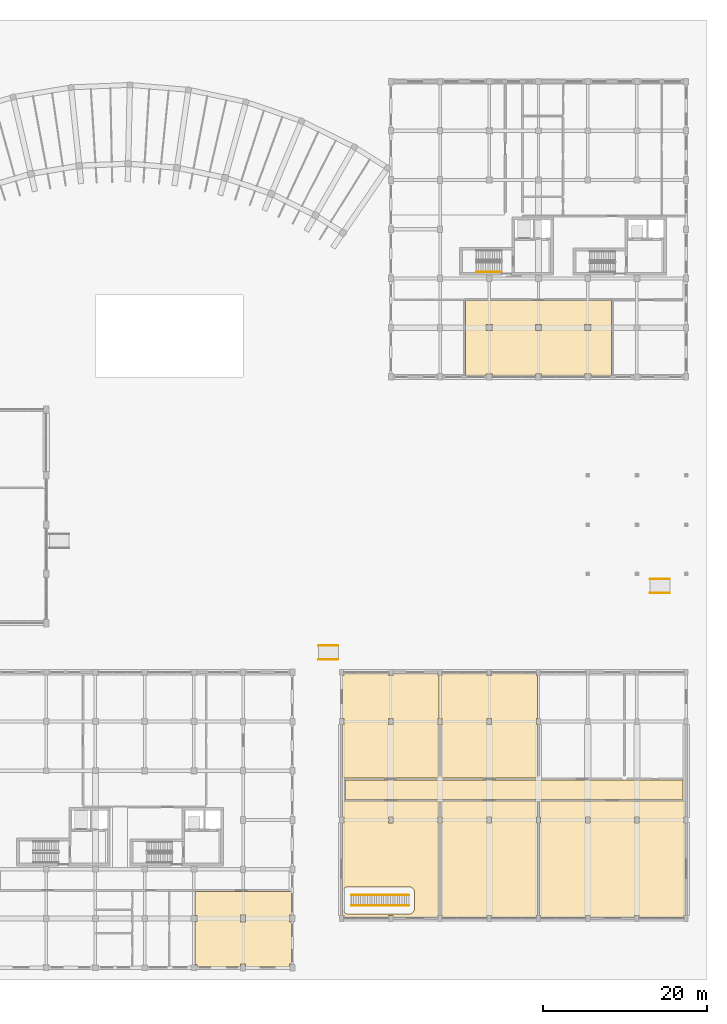
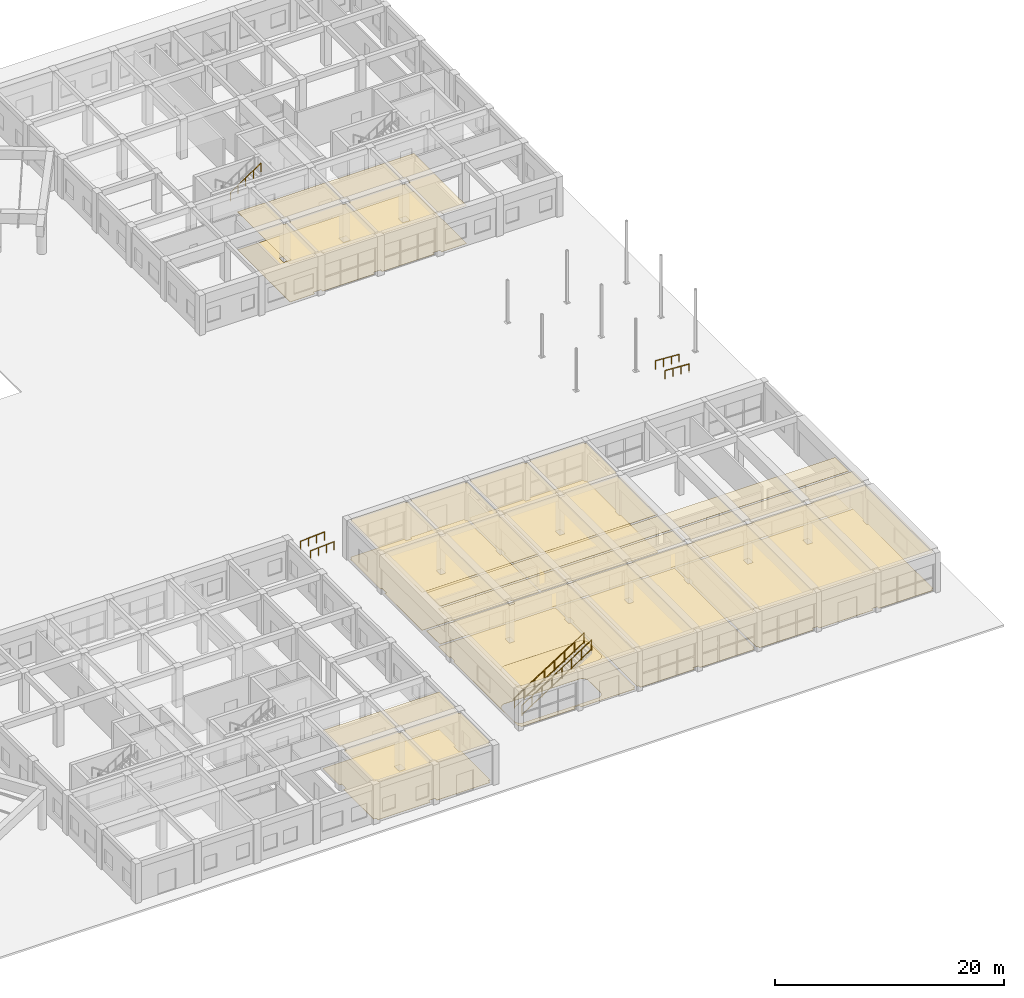
# One storey, part 74 of 76: 16 coverings, 7 railings.
"""IFC4 building model written with IfcOpenShell, lengths in metres."""

from ifc_helpers import new_model, si_unit, direction, frame, origin, origin_2d, place, context, subcontext, project, spatial, polyline, circle, outline, extrude, material, layer, layer_set, type_object, element, save


model = new_model("IFC4")

# Units and contexts
model_context = context("Model", 3, precision=1e-05, world=origin(), true_north=direction((0.0, 1.0)))
body_context = subcontext(model_context, "Body", "Model", "MODEL_VIEW")
ifc_project = project(units=[si_unit("LENGTHUNIT", "METRE"), si_unit("AREAUNIT", "SQUARE_METRE"), si_unit("VOLUMEUNIT", "CUBIC_METRE"), si_unit("PLANEANGLEUNIT", "RADIAN"), si_unit("MASSUNIT", "GRAM", prefix="KILO"), si_unit("POWERUNIT", "WATT"), si_unit("THERMODYNAMICTEMPERATUREUNIT", "KELVIN")], contexts=[model_context])

# Site, building, storey
site_placement = place(None, origin())
site = spatial("IfcSite", under=ifc_project, at=site_placement, CompositionType="ELEMENT")
building_placement = place(site_placement, origin())
building = spatial("IfcBuilding", under=site, at=building_placement, Name="Ruvembo Vaulted Housing Court", CompositionType="ELEMENT")
storey_placement = place(building_placement, origin())
storey = spatial("IfcBuildingStorey", under=building, at=storey_placement, Name="L00", CompositionType="ELEMENT", Elevation=0.0)

# Coverings
ifc_material_1 = material(Name="Perforated Mineral-Fibre Acoustic Tile", Category="gypsum")
ifc_layer_1 = layer(ifc_material_1, 0.02001953125, Name="Perforated Mineral-Fibre Acoustic Tile")
ifc_layer_set_1 = layer_set([ifc_layer_1], Name="Perforated Mineral-Fibre Acoustic Tile")
covering_type_1 = type_object("IfcCoveringType", Name="COV-CEIL-ACOUST", PredefinedType="CEILING", material=ifc_layer_set_1)
covering_1_placement = place(storey_placement, frame((0.0, 0.0, 4.034912109375)))
element("IfcCovering", 1, at=covering_1_placement, inside=storey, type_object=covering_type_1, Name="Shops L00 Shared Arcade Corridor Ceiling", PredefinedType="CEILING", context=body_context, shape_type="SweptSolid", body=[
    extrude(outline(polyline([(144.409912109375, 22.889892578125), (144.409912109375, 20.510009765625), (185.590087890625, 20.510009765625), (185.590087890625, 22.889892578125), (144.409912109375, 22.889892578125)])), origin(), (0.0, 0.0, 1.0), 0.02001953125),
])
covering_2_placement = place(storey_placement, frame((0.0, 0.0, 4.034912109375)))
element("IfcCovering", 2, at=covering_2_placement, inside=storey, type_object=covering_type_1, Name="Cooperative Fresh Produce Market Ceiling", PredefinedType="CEILING", context=body_context, shape_type="SweptSolid", body=[
    extrude(outline(polyline([(144.27001953125, 18.3701171875), (144.27001953125, 17.6298828125), (144.110107421875, 17.6298828125), (144.110107421875, 6.3701171875), (144.27001953125, 6.3701171875), (144.27001953125, 6.110107421875), (149.72998046875, 6.110107421875), (149.72998046875, 6.3701171875), (150.27001953125, 6.3701171875), (150.27001953125, 6.110107421875), (155.72998046875, 6.110107421875), (155.72998046875, 6.3701171875), (155.889892578125, 6.3701171875), (155.889892578125, 17.6298828125), (155.72998046875, 17.6298828125), (155.72998046875, 18.3701171875), (155.889892578125, 18.3701171875), (155.889892578125, 20.2900390625), (144.110107421875, 20.2900390625), (144.110107421875, 18.3701171875), (144.27001953125, 18.3701171875)]), holes=[polyline([(150.27001953125, 17.6298828125), (150.27001953125, 18.3701171875), (149.72998046875, 18.3701171875), (149.72998046875, 17.6298828125), (150.27001953125, 17.6298828125)]), polyline([(152.28369140625, 6.552978515625), (152.3466796875, 6.5625), (152.40869140625, 6.577880859375), (152.46875, 6.599609375), (152.5263671875, 6.626708984375), (152.5810546875, 6.659423828125), (152.63232421875, 6.697509765625), (152.6796875, 6.740478515625), (152.722412109375, 6.78759765625), (152.760498046875, 6.8388671875), (152.793212890625, 6.8935546875), (152.820556640625, 6.951416015625), (152.842041015625, 7.01123046875), (152.857421875, 7.0732421875), (152.866943359375, 7.13623046875), (152.8701171875, 7.199951171875), (152.8701171875, 9.199951171875), (152.866943359375, 9.263671875), (152.857421875, 9.326904296875), (152.842041015625, 9.388671875), (152.820556640625, 9.44873046875), (152.793212890625, 9.50634765625), (152.760498046875, 9.56103515625), (152.722412109375, 9.6123046875), (152.6796875, 9.65966796875), (152.63232421875, 9.702392578125), (152.5810546875, 9.740478515625), (152.5263671875, 9.773193359375), (152.46875, 9.800537109375), (152.40869140625, 9.822021484375), (152.3466796875, 9.83740234375), (152.28369140625, 9.846923828125), (152.219970703125, 9.85009765625), (144.800048828125, 9.85009765625), (144.736328125, 9.846923828125), (144.673095703125, 9.83740234375), (144.611328125, 9.822021484375), (144.55126953125, 9.800537109375), (144.49365234375, 9.773193359375), (144.43896484375, 9.740478515625), (144.3876953125, 9.702392578125), (144.34033203125, 9.65966796875), (144.297607421875, 9.6123046875), (144.259521484375, 9.56103515625), (144.226806640625, 9.50634765625), (144.199462890625, 9.44873046875), (144.177978515625, 9.388671875), (144.16259765625, 9.326904296875), (144.153076171875, 9.263671875), (144.14990234375, 9.199951171875), (144.14990234375, 7.199951171875), (144.153076171875, 7.13623046875), (144.16259765625, 7.0732421875), (144.177978515625, 7.01123046875), (144.199462890625, 6.951416015625), (144.226806640625, 6.8935546875), (144.259521484375, 6.8388671875), (144.297607421875, 6.78759765625), (144.34033203125, 6.740478515625), (144.3876953125, 6.697509765625), (144.43896484375, 6.659423828125), (144.49365234375, 6.626708984375), (144.55126953125, 6.599609375), (144.611328125, 6.577880859375), (144.673095703125, 6.5625), (144.736328125, 6.552978515625), (144.800048828125, 6.550048828125), (152.219970703125, 6.550048828125), (152.28369140625, 6.552978515625)])]), origin(), (0.0, 0.0, 1.0), 0.02001953125),
])
covering_3_placement = place(storey_placement, frame((0.0, 0.0, 4.034912109375)))
element("IfcCovering", 3, at=covering_3_placement, inside=storey, type_object=covering_type_1, Name="Neighbourhood Pharmacy & Repair Ceiling", PredefinedType="CEILING", context=body_context, shape_type="SweptSolid", body=[
    extrude(outline(polyline([(156.27001953125, 18.3701171875), (156.27001953125, 17.6298828125), (156.110107421875, 17.6298828125), (156.110107421875, 6.3701171875), (156.27001953125, 6.3701171875), (156.27001953125, 6.110107421875), (161.72998046875, 6.110107421875), (161.72998046875, 6.3701171875), (162.27001953125, 6.3701171875), (162.27001953125, 6.110107421875), (167.72998046875, 6.110107421875), (167.72998046875, 6.3701171875), (167.889892578125, 6.3701171875), (167.889892578125, 17.6298828125), (167.72998046875, 17.6298828125), (167.72998046875, 18.3701171875), (167.889892578125, 18.3701171875), (167.889892578125, 20.2900390625), (156.110107421875, 20.2900390625), (156.110107421875, 18.3701171875), (156.27001953125, 18.3701171875)]), holes=[polyline([(161.72998046875, 17.6298828125), (162.27001953125, 17.6298828125), (162.27001953125, 18.3701171875), (161.72998046875, 18.3701171875), (161.72998046875, 17.6298828125)])]), origin(), (0.0, 0.0, 1.0), 0.02001953125),
])
covering_4_placement = place(storey_placement, frame((0.0, 0.0, 4.044921875)))
element("IfcCovering", 4, at=covering_4_placement, inside=storey, type_object=covering_type_1, Name="Corner Cafe and Bakery Dining Ceiling", PredefinedType="CEILING", context=body_context, shape_type="SweptSolid", body=[
    extrude(outline(polyline([(168.27001953125, 18.3701171875), (168.27001953125, 17.6298828125), (168.110107421875, 17.6298828125), (168.110107421875, 6.3701171875), (168.27001953125, 6.3701171875), (168.27001953125, 6.110107421875), (173.72998046875, 6.110107421875), (173.72998046875, 6.3701171875), (174.27001953125, 6.3701171875), (174.27001953125, 6.110107421875), (179.72998046875, 6.110107421875), (179.72998046875, 6.3701171875), (180.27001953125, 6.3701171875), (180.27001953125, 6.110107421875), (185.72998046875, 6.110107421875), (185.72998046875, 6.3701171875), (185.889892578125, 6.3701171875), (185.889892578125, 17.6298828125), (185.72998046875, 17.6298828125), (185.72998046875, 18.3701171875), (185.889892578125, 18.3701171875), (185.889892578125, 20.2900390625), (168.110107421875, 20.2900390625), (168.110107421875, 18.3701171875), (168.27001953125, 18.3701171875)]), holes=[polyline([(179.72998046875, 17.6298828125), (180.27001953125, 17.6298828125), (180.27001953125, 18.3701171875), (179.72998046875, 18.3701171875), (179.72998046875, 17.6298828125)]), polyline([(174.27001953125, 17.6298828125), (174.27001953125, 18.3701171875), (173.72998046875, 18.3701171875), (173.72998046875, 17.6298828125), (174.27001953125, 17.6298828125)])]), origin(), (0.0, 0.0, 1.0), 0.02001953125),
])
covering_5_placement = place(storey_placement, frame((0.0, 0.0, 4.034912109375)))
element("IfcCovering", 5, at=covering_5_placement, inside=storey, type_object=covering_type_1, Name="Artisan Tailoring & Bookshop Ceiling", PredefinedType="CEILING", context=body_context, shape_type="SweptSolid", body=[
    extrude(outline(polyline([(144.27001953125, 30.3701171875), (144.27001953125, 29.6298828125), (144.110107421875, 29.6298828125), (144.110107421875, 23.110107421875), (155.889892578125, 23.110107421875), (155.889892578125, 29.6298828125), (155.72998046875, 29.6298828125), (155.72998046875, 30.3701171875), (155.889892578125, 30.3701171875), (155.889892578125, 35.6298828125), (155.72998046875, 35.6298828125), (155.72998046875, 35.889892578125), (150.27001953125, 35.889892578125), (150.27001953125, 35.6298828125), (149.72998046875, 35.6298828125), (149.72998046875, 35.889892578125), (144.27001953125, 35.889892578125), (144.27001953125, 35.6298828125), (144.110107421875, 35.6298828125), (144.110107421875, 30.3701171875), (144.27001953125, 30.3701171875)]), holes=[polyline([(149.72998046875, 29.6298828125), (150.27001953125, 29.6298828125), (150.27001953125, 30.3701171875), (149.72998046875, 30.3701171875), (149.72998046875, 29.6298828125)])]), origin(), (0.0, 0.0, 1.0), 0.02001953125),
])
covering_6_placement = place(storey_placement, frame((0.0, 0.0, 4.034912109375)))
element("IfcCovering", 6, at=covering_6_placement, inside=storey, type_object=covering_type_1, Name="Cooperative Dry-Goods & Postal Hub Ceiling", PredefinedType="CEILING", context=body_context, shape_type="SweptSolid", body=[
    extrude(outline(polyline([(156.27001953125, 30.3701171875), (156.27001953125, 29.6298828125), (156.110107421875, 29.6298828125), (156.110107421875, 23.110107421875), (167.889892578125, 23.110107421875), (167.889892578125, 29.6298828125), (167.72998046875, 29.6298828125), (167.72998046875, 30.3701171875), (167.889892578125, 30.3701171875), (167.889892578125, 35.6298828125), (167.72998046875, 35.6298828125), (167.72998046875, 35.889892578125), (162.27001953125, 35.889892578125), (162.27001953125, 35.6298828125), (161.72998046875, 35.6298828125), (161.72998046875, 35.889892578125), (156.27001953125, 35.889892578125), (156.27001953125, 35.6298828125), (156.110107421875, 35.6298828125), (156.110107421875, 30.3701171875), (156.27001953125, 30.3701171875)]), holes=[polyline([(161.72998046875, 29.6298828125), (162.27001953125, 29.6298828125), (162.27001953125, 30.3701171875), (161.72998046875, 30.3701171875), (161.72998046875, 29.6298828125)])]), origin(), (0.0, 0.0, 1.0), 0.02001953125),
])
covering_7_placement = place(storey_placement, frame((0.0, 0.0, 4.034912109375)))
element("IfcCovering", 7, at=covering_7_placement, inside=storey, type_object=covering_type_1, Name="Block C East Exit Vestibule Ceiling", PredefinedType="CEILING", context=body_context, shape_type="SweptSolid", body=[
    extrude(outline(polyline([(131.679931640625, 0.419921875), (132.320068359375, 0.419921875), (132.320068359375, 0.110107421875), (137.679931640625, 0.110107421875), (137.679931640625, 0.419921875), (137.889892578125, 0.419921875), (137.889892578125, 5.580078125), (137.679931640625, 5.580078125), (137.679931640625, 6.419921875), (137.889892578125, 6.419921875), (137.889892578125, 9.2900390625), (126.110107421875, 9.2900390625), (126.110107421875, 6.3701171875), (126.3701171875, 6.3701171875), (126.3701171875, 5.6298828125), (126.110107421875, 5.6298828125), (126.110107421875, 0.3701171875), (126.3701171875, 0.3701171875), (126.3701171875, 0.110107421875), (131.679931640625, 0.110107421875), (131.679931640625, 0.419921875)]), holes=[polyline([(132.320068359375, 5.580078125), (132.320068359375, 6.419921875), (131.679931640625, 6.419921875), (131.679931640625, 5.580078125), (132.320068359375, 5.580078125)])]), origin(), (0.0, 0.0, 1.0), 0.02001953125),
])
covering_8_placement = place(storey_placement, frame((0.0, 0.0, 4.034912109375)))
element("IfcCovering", 8, at=covering_8_placement, inside=storey, type_object=covering_type_1, Name="Block D Courtyard Entrance Lobby Ceiling", PredefinedType="CEILING", context=body_context, shape_type="SweptSolid", body=[
    extrude(outline(polyline([(173.6298828125, 72.3701171875), (174.3701171875, 72.3701171875), (174.3701171875, 72.110107421875), (176.889892578125, 72.110107421875), (176.889892578125, 81.2900390625), (159.110107421875, 81.2900390625), (159.110107421875, 72.110107421875), (161.6298828125, 72.110107421875), (161.6298828125, 72.3701171875), (162.3701171875, 72.3701171875), (162.3701171875, 72.110107421875), (167.6298828125, 72.110107421875), (167.6298828125, 72.3701171875), (168.3701171875, 72.3701171875), (168.3701171875, 72.110107421875), (173.6298828125, 72.110107421875), (173.6298828125, 72.3701171875)]), holes=[polyline([(162.3701171875, 77.6298828125), (162.3701171875, 78.3701171875), (161.6298828125, 78.3701171875), (161.6298828125, 77.6298828125), (162.3701171875, 77.6298828125)]), polyline([(174.3701171875, 77.6298828125), (174.3701171875, 78.3701171875), (173.6298828125, 78.3701171875), (173.6298828125, 77.6298828125), (174.3701171875, 77.6298828125)]), polyline([(168.3701171875, 77.6298828125), (168.3701171875, 78.3701171875), (167.6298828125, 78.3701171875), (167.6298828125, 77.6298828125), (168.3701171875, 77.6298828125)])]), origin(), (0.0, 0.0, 1.0), 0.02001953125),
])
ifc_material_2 = material(Name="Polished Cement-Aggregate Terrazzo", Category="stone")
ifc_layer_2 = layer(ifc_material_2, 0.02197265625, Name="Polished Cement-Aggregate Terrazzo")
ifc_layer_set_2 = layer_set([ifc_layer_2], Name="Polished Cement-Aggregate Terrazzo")
covering_type_2 = type_object("IfcCoveringType", Name="COV-FLR-CERAMIC", PredefinedType="FLOORING", material=ifc_layer_set_2)
covering_9_placement = place(storey_placement, origin())
element("IfcCovering", 9, at=covering_9_placement, inside=storey, type_object=covering_type_2, Name="Shops L00 Shared Arcade Corridor Flooring", PredefinedType="FLOORING", context=body_context, shape_type="SweptSolid", body=[
    extrude(outline(polyline([(144.409912109375, 22.889892578125), (144.409912109375, 20.510009765625), (185.590087890625, 20.510009765625), (185.590087890625, 22.889892578125), (144.409912109375, 22.889892578125)])), origin(), (0.0, 0.0, 1.0), 0.02197265625),
])
covering_10_placement = place(storey_placement, origin())
element("IfcCovering", 10, at=covering_10_placement, inside=storey, type_object=covering_type_2, Name="Cooperative Fresh Produce Market Flooring", PredefinedType="FLOORING", context=body_context, shape_type="SweptSolid", body=[
    extrude(outline(polyline([(144.27001953125, 18.3701171875), (144.27001953125, 17.6298828125), (144.110107421875, 17.6298828125), (144.110107421875, 6.3701171875), (144.27001953125, 6.3701171875), (144.27001953125, 6.110107421875), (149.72998046875, 6.110107421875), (149.72998046875, 6.3701171875), (150.27001953125, 6.3701171875), (150.27001953125, 6.110107421875), (155.72998046875, 6.110107421875), (155.72998046875, 6.3701171875), (155.889892578125, 6.3701171875), (155.889892578125, 17.6298828125), (155.72998046875, 17.6298828125), (155.72998046875, 18.3701171875), (155.889892578125, 18.3701171875), (155.889892578125, 20.2900390625), (144.110107421875, 20.2900390625), (144.110107421875, 18.3701171875), (144.27001953125, 18.3701171875)]), holes=[polyline([(150.27001953125, 17.6298828125), (150.27001953125, 18.3701171875), (149.72998046875, 18.3701171875), (149.72998046875, 17.6298828125), (150.27001953125, 17.6298828125)]), polyline([(152.28369140625, 6.552978515625), (152.3466796875, 6.5625), (152.40869140625, 6.577880859375), (152.46875, 6.599609375), (152.5263671875, 6.626708984375), (152.5810546875, 6.659423828125), (152.63232421875, 6.697509765625), (152.6796875, 6.740478515625), (152.722412109375, 6.78759765625), (152.760498046875, 6.8388671875), (152.793212890625, 6.8935546875), (152.820556640625, 6.951416015625), (152.842041015625, 7.01123046875), (152.857421875, 7.0732421875), (152.866943359375, 7.13623046875), (152.8701171875, 7.199951171875), (152.8701171875, 9.199951171875), (152.866943359375, 9.263671875), (152.857421875, 9.326904296875), (152.842041015625, 9.388671875), (152.820556640625, 9.44873046875), (152.793212890625, 9.50634765625), (152.760498046875, 9.56103515625), (152.722412109375, 9.6123046875), (152.6796875, 9.65966796875), (152.63232421875, 9.702392578125), (152.5810546875, 9.740478515625), (152.5263671875, 9.773193359375), (152.46875, 9.800537109375), (152.40869140625, 9.822021484375), (152.3466796875, 9.83740234375), (152.28369140625, 9.846923828125), (152.219970703125, 9.85009765625), (144.800048828125, 9.85009765625), (144.736328125, 9.846923828125), (144.673095703125, 9.83740234375), (144.611328125, 9.822021484375), (144.55126953125, 9.800537109375), (144.49365234375, 9.773193359375), (144.43896484375, 9.740478515625), (144.3876953125, 9.702392578125), (144.34033203125, 9.65966796875), (144.297607421875, 9.6123046875), (144.259521484375, 9.56103515625), (144.226806640625, 9.50634765625), (144.199462890625, 9.44873046875), (144.177978515625, 9.388671875), (144.16259765625, 9.326904296875), (144.153076171875, 9.263671875), (144.14990234375, 9.199951171875), (144.14990234375, 7.199951171875), (144.153076171875, 7.13623046875), (144.16259765625, 7.0732421875), (144.177978515625, 7.01123046875), (144.199462890625, 6.951416015625), (144.226806640625, 6.8935546875), (144.259521484375, 6.8388671875), (144.297607421875, 6.78759765625), (144.34033203125, 6.740478515625), (144.3876953125, 6.697509765625), (144.43896484375, 6.659423828125), (144.49365234375, 6.626708984375), (144.55126953125, 6.599609375), (144.611328125, 6.577880859375), (144.673095703125, 6.5625), (144.736328125, 6.552978515625), (144.800048828125, 6.550048828125), (152.219970703125, 6.550048828125), (152.28369140625, 6.552978515625)])]), origin(), (0.0, 0.0, 1.0), 0.02197265625),
])
covering_11_placement = place(storey_placement, origin())
element("IfcCovering", 11, at=covering_11_placement, inside=storey, type_object=covering_type_2, Name="Neighbourhood Pharmacy & Repair Flooring", PredefinedType="FLOORING", context=body_context, shape_type="SweptSolid", body=[
    extrude(outline(polyline([(156.27001953125, 18.3701171875), (156.27001953125, 17.6298828125), (156.110107421875, 17.6298828125), (156.110107421875, 6.3701171875), (156.27001953125, 6.3701171875), (156.27001953125, 6.110107421875), (161.72998046875, 6.110107421875), (161.72998046875, 6.3701171875), (162.27001953125, 6.3701171875), (162.27001953125, 6.110107421875), (167.72998046875, 6.110107421875), (167.72998046875, 6.3701171875), (167.889892578125, 6.3701171875), (167.889892578125, 17.6298828125), (167.72998046875, 17.6298828125), (167.72998046875, 18.3701171875), (167.889892578125, 18.3701171875), (167.889892578125, 20.2900390625), (156.110107421875, 20.2900390625), (156.110107421875, 18.3701171875), (156.27001953125, 18.3701171875)]), holes=[polyline([(161.72998046875, 17.6298828125), (162.27001953125, 17.6298828125), (162.27001953125, 18.3701171875), (161.72998046875, 18.3701171875), (161.72998046875, 17.6298828125)])]), origin(), (0.0, 0.0, 1.0), 0.02197265625),
])
covering_12_placement = place(storey_placement, origin())
element("IfcCovering", 12, at=covering_12_placement, inside=storey, type_object=covering_type_2, Name="Corner Cafe and Bakery Dining Flooring", PredefinedType="FLOORING", context=body_context, shape_type="SweptSolid", body=[
    extrude(outline(polyline([(168.27001953125, 18.3701171875), (168.27001953125, 17.6298828125), (168.110107421875, 17.6298828125), (168.110107421875, 6.3701171875), (168.27001953125, 6.3701171875), (168.27001953125, 6.110107421875), (173.72998046875, 6.110107421875), (173.72998046875, 6.3701171875), (174.27001953125, 6.3701171875), (174.27001953125, 6.110107421875), (179.72998046875, 6.110107421875), (179.72998046875, 6.3701171875), (180.27001953125, 6.3701171875), (180.27001953125, 6.110107421875), (185.72998046875, 6.110107421875), (185.72998046875, 6.3701171875), (185.889892578125, 6.3701171875), (185.889892578125, 17.6298828125), (185.72998046875, 17.6298828125), (185.72998046875, 18.3701171875), (185.889892578125, 18.3701171875), (185.889892578125, 20.2900390625), (168.110107421875, 20.2900390625), (168.110107421875, 18.3701171875), (168.27001953125, 18.3701171875)]), holes=[polyline([(179.72998046875, 17.6298828125), (180.27001953125, 17.6298828125), (180.27001953125, 18.3701171875), (179.72998046875, 18.3701171875), (179.72998046875, 17.6298828125)]), polyline([(174.27001953125, 17.6298828125), (174.27001953125, 18.3701171875), (173.72998046875, 18.3701171875), (173.72998046875, 17.6298828125), (174.27001953125, 17.6298828125)])]), origin(), (0.0, 0.0, 1.0), 0.02197265625),
])
covering_13_placement = place(storey_placement, origin())
element("IfcCovering", 13, at=covering_13_placement, inside=storey, type_object=covering_type_2, Name="Artisan Tailoring & Bookshop Flooring", PredefinedType="FLOORING", context=body_context, shape_type="SweptSolid", body=[
    extrude(outline(polyline([(144.27001953125, 30.3701171875), (144.27001953125, 29.6298828125), (144.110107421875, 29.6298828125), (144.110107421875, 23.110107421875), (155.889892578125, 23.110107421875), (155.889892578125, 29.6298828125), (155.72998046875, 29.6298828125), (155.72998046875, 30.3701171875), (155.889892578125, 30.3701171875), (155.889892578125, 35.6298828125), (155.72998046875, 35.6298828125), (155.72998046875, 35.889892578125), (150.27001953125, 35.889892578125), (150.27001953125, 35.6298828125), (149.72998046875, 35.6298828125), (149.72998046875, 35.889892578125), (144.27001953125, 35.889892578125), (144.27001953125, 35.6298828125), (144.110107421875, 35.6298828125), (144.110107421875, 30.3701171875), (144.27001953125, 30.3701171875)]), holes=[polyline([(149.72998046875, 29.6298828125), (150.27001953125, 29.6298828125), (150.27001953125, 30.3701171875), (149.72998046875, 30.3701171875), (149.72998046875, 29.6298828125)])]), origin(), (0.0, 0.0, 1.0), 0.02197265625),
])
covering_14_placement = place(storey_placement, origin())
element("IfcCovering", 14, at=covering_14_placement, inside=storey, type_object=covering_type_2, Name="Cooperative Dry-Goods & Postal Hub Flooring", PredefinedType="FLOORING", context=body_context, shape_type="SweptSolid", body=[
    extrude(outline(polyline([(156.27001953125, 30.3701171875), (156.27001953125, 29.6298828125), (156.110107421875, 29.6298828125), (156.110107421875, 23.110107421875), (167.889892578125, 23.110107421875), (167.889892578125, 29.6298828125), (167.72998046875, 29.6298828125), (167.72998046875, 30.3701171875), (167.889892578125, 30.3701171875), (167.889892578125, 35.6298828125), (167.72998046875, 35.6298828125), (167.72998046875, 35.889892578125), (162.27001953125, 35.889892578125), (162.27001953125, 35.6298828125), (161.72998046875, 35.6298828125), (161.72998046875, 35.889892578125), (156.27001953125, 35.889892578125), (156.27001953125, 35.6298828125), (156.110107421875, 35.6298828125), (156.110107421875, 30.3701171875), (156.27001953125, 30.3701171875)]), holes=[polyline([(161.72998046875, 29.6298828125), (162.27001953125, 29.6298828125), (162.27001953125, 30.3701171875), (161.72998046875, 30.3701171875), (161.72998046875, 29.6298828125)])]), origin(), (0.0, 0.0, 1.0), 0.02197265625),
])
covering_15_placement = place(storey_placement, origin())
element("IfcCovering", 15, at=covering_15_placement, inside=storey, type_object=covering_type_2, Name="Block C East Exit Vestibule Flooring", PredefinedType="FLOORING", context=body_context, shape_type="SweptSolid", body=[
    extrude(outline(polyline([(131.679931640625, 0.419921875), (132.320068359375, 0.419921875), (132.320068359375, 0.110107421875), (137.679931640625, 0.110107421875), (137.679931640625, 0.419921875), (137.889892578125, 0.419921875), (137.889892578125, 5.580078125), (137.679931640625, 5.580078125), (137.679931640625, 6.419921875), (137.889892578125, 6.419921875), (137.889892578125, 9.2900390625), (126.110107421875, 9.2900390625), (126.110107421875, 6.3701171875), (126.3701171875, 6.3701171875), (126.3701171875, 5.6298828125), (126.110107421875, 5.6298828125), (126.110107421875, 0.3701171875), (126.3701171875, 0.3701171875), (126.3701171875, 0.110107421875), (131.679931640625, 0.110107421875), (131.679931640625, 0.419921875)]), holes=[polyline([(132.320068359375, 5.580078125), (132.320068359375, 6.419921875), (131.679931640625, 6.419921875), (131.679931640625, 5.580078125), (132.320068359375, 5.580078125)])]), origin(), (0.0, 0.0, 1.0), 0.02197265625),
])
covering_16_placement = place(storey_placement, origin())
element("IfcCovering", 16, at=covering_16_placement, inside=storey, type_object=covering_type_2, Name="Block D Courtyard Entrance Lobby Flooring", PredefinedType="FLOORING", context=body_context, shape_type="SweptSolid", body=[
    extrude(outline(polyline([(173.6298828125, 72.3701171875), (174.3701171875, 72.3701171875), (174.3701171875, 72.110107421875), (176.889892578125, 72.110107421875), (176.889892578125, 81.2900390625), (159.110107421875, 81.2900390625), (159.110107421875, 72.110107421875), (161.6298828125, 72.110107421875), (161.6298828125, 72.3701171875), (162.3701171875, 72.3701171875), (162.3701171875, 72.110107421875), (167.6298828125, 72.110107421875), (167.6298828125, 72.3701171875), (168.3701171875, 72.3701171875), (168.3701171875, 72.110107421875), (173.6298828125, 72.110107421875), (173.6298828125, 72.3701171875)]), holes=[polyline([(162.3701171875, 77.6298828125), (162.3701171875, 78.3701171875), (161.6298828125, 78.3701171875), (161.6298828125, 77.6298828125), (162.3701171875, 77.6298828125)]), polyline([(174.3701171875, 77.6298828125), (174.3701171875, 78.3701171875), (173.6298828125, 78.3701171875), (173.6298828125, 77.6298828125), (174.3701171875, 77.6298828125)]), polyline([(168.3701171875, 77.6298828125), (168.3701171875, 78.3701171875), (167.6298828125, 78.3701171875), (167.6298828125, 77.6298828125), (168.3701171875, 77.6298828125)])]), origin(), (0.0, 0.0, 1.0), 0.02197265625),
])

# Railings
ifc_material_3 = material(Name="Brushed Stainless Steel 316", Category="steel")
ifc_layer_3 = layer(ifc_material_3, 0.050048828125, Name="Brushed Stainless Steel 316")
ifc_layer_set_3 = layer_set([ifc_layer_3], Name="Brushed Stainless Steel 316")
railing_type_1 = type_object("IfcRailingType", Name="RL-RAMP-HR920", PredefinedType="HANDRAIL", material=ifc_layer_set_3)
for number, where, name in (
    (17, (184.0, 45.64990234375, -0.14990234375), "Ramp RMP-02 Handrail L"),
    (18, (184.0, 47.35009765625, -0.14990234375), "Ramp RMP-02 Handrail R"),
):
    element("IfcRailing", number, at=place(storey_placement, frame(where)), inside=storey, type_object=railing_type_1, Name=name, PredefinedType="HANDRAIL", context=body_context, shape_type="SweptSolid", body=[
        extrude(circle(Radius=0.02392578125, at=origin_2d()), frame((0.0, 0.0, 0.89599609375), z_axis=(-0.998054948148, 0.0, 0.062340359935), x_axis=(0.0, -1.0, 0.0)), (0.0, 0.0, 1.0), 2.404541015625),
        extrude(circle(Radius=0.02099609375, at=origin_2d()), origin(), (0.0, 0.0, 1.0), 0.871826171875),
        extrude(circle(Radius=0.02099609375, at=origin_2d()), frame((-0.800048828125, 0.0, 0.050048828125)), (0.0, 0.0, 1.0), 0.871826171875),
        extrude(circle(Radius=0.02099609375, at=origin_2d()), frame((-1.599853515625, 0.0, 0.099853515625)), (0.0, 0.0, 1.0), 0.871826171875),
        extrude(circle(Radius=0.02099609375, at=origin_2d()), frame((-2.39990234375, 0.0, 0.14990234375)), (0.0, 0.0, 1.0), 0.871826171875),
    ])
for number, where, name in (
    (19, (141.199951171875, 39.25, -0.14990234375), "Ramp RMP-05 Handrail L"),
    (20, (141.199951171875, 37.550048828125, -0.14990234375), "Ramp RMP-05 Handrail R"),
):
    element("IfcRailing", number, at=place(storey_placement, frame(where)), inside=storey, type_object=railing_type_1, Name=name, PredefinedType="HANDRAIL", context=body_context, shape_type="SweptSolid", body=[
        extrude(circle(Radius=0.02392578125, at=origin_2d()), frame((0.0, 0.0, 0.89599609375), z_axis=(0.998055342672, 0.0, 0.062334043373), x_axis=(0.0, 1.0, 0.0)), (0.0, 0.0, 1.0), 2.40478515625),
        extrude(circle(Radius=0.02099609375, at=origin_2d()), origin(), (0.0, 0.0, 1.0), 0.871826171875),
        extrude(circle(Radius=0.02099609375, at=origin_2d()), frame((0.800048828125, 0.0, 0.050048828125)), (0.0, 0.0, 1.0), 0.871826171875),
        extrude(circle(Radius=0.02099609375, at=origin_2d()), frame((1.60009765625, 0.0, 0.099853515625)), (0.0, 0.0, 1.0), 0.871826171875),
        extrude(circle(Radius=0.02099609375, at=origin_2d()), frame((2.400146484375, 0.0, 0.14990234375)), (0.0, 0.0, 1.0), 0.871826171875),
    ])
ifc_material_4 = material(Name="Painted Galvanised Steel S275", Category="steel")
ifc_layer_4 = layer(ifc_material_4, 0.06005859375, Name="Painted Galvanised Steel S275")
ifc_layer_set_4 = layer_set([ifc_layer_4], Name="Painted Galvanised Steel S275")
railing_type_2 = type_object("IfcRailingType", Name="RL-STAIR-GR1100", PredefinedType="GUARDRAIL", material=ifc_layer_set_4)
for number, where, name in (
    (21, (145.199951171875, 8.840087890625, 0.0), "Shops Pavilion Mezzanine Stair Pitch Guard and Handrail L"),
    (22, (145.199951171875, 7.56005859375, 0.0), "Shops Pavilion Mezzanine Stair Pitch Guard and Handrail R"),
):
    element("IfcRailing", number, at=place(storey_placement, frame(where)), inside=storey, type_object=railing_type_2, Name=name, PredefinedType="GUARDRAIL", context=body_context, shape_type="SweptSolid", body=[
        extrude(circle(Radius=0.02392578125, at=origin_2d()), frame((0.0, 0.0, 1.09619140625), z_axis=(0.841178475377, 0.0, 0.540757591313), x_axis=(0.0, 1.0, 0.0)), (0.0, 0.0, 1.0), 8.32177734375),
        extrude(circle(Radius=0.01806640625, at=origin_2d()), frame((0.0, 0.0, 0.1201171875), z_axis=(0.841178475377, 0.0, 0.540757591313), x_axis=(0.0, 1.0, 0.0)), (0.0, 0.0, 1.0), 8.32177734375),
        extrude(circle(Radius=0.02099609375, at=origin_2d()), origin(), (0.0, 0.0, 1.0), 1.072021484375),
        extrude(circle(Radius=0.02099609375, at=origin_2d()), frame((1.0, 0.0, 0.642822265625)), (0.0, 0.0, 1.0), 1.072021484375),
        extrude(circle(Radius=0.02099609375, at=origin_2d()), frame((2.0, 0.0, 1.28564453125)), (0.0, 0.0, 1.0), 1.072021484375),
        extrude(circle(Radius=0.02099609375, at=origin_2d()), frame((3.0, 0.0, 1.928466796875)), (0.0, 0.0, 1.0), 1.072021484375),
        extrude(circle(Radius=0.02099609375, at=origin_2d()), frame((4.0, 0.0, 2.571533203125)), (0.0, 0.0, 1.0), 1.072021484375),
        extrude(circle(Radius=0.02099609375, at=origin_2d()), frame((5.0, 0.0, 3.21435546875)), (0.0, 0.0, 1.0), 1.072021484375),
        extrude(circle(Radius=0.02099609375, at=origin_2d()), frame((6.0, 0.0, 3.857177734375)), (0.0, 0.0, 1.0), 1.072021484375),
        extrude(circle(Radius=0.02099609375, at=origin_2d()), frame((7.0, 0.0, 4.5)), (0.0, 0.0, 1.0), 1.072021484375),
    ])
ifc_material_5 = material(Name="Brushed Stainless Steel 304", Category="steel")
ifc_layer_5 = layer(ifc_material_5, 0.050048828125, Name="Brushed Stainless Steel 304")
ifc_layer_set_5 = layer_set([ifc_layer_5], Name="Brushed Stainless Steel 304")
railing_type_3 = type_object("IfcRailingType", Name="RL-STAIR-HR920", PredefinedType="HANDRAIL", material=ifc_layer_set_5)
railing_placement = place(storey_placement, frame((160.419921875, 84.800048828125, 2.629150390625)))
element("IfcRailing", 23, at=railing_placement, inside=storey, type_object=railing_type_3, Name="L00 ST-D1 stair handrail 2", PredefinedType="HANDRAIL", context=body_context, shape_type="SweptSolid", body=[
    extrude(circle(Radius=0.02392578125, at=origin_2d()), frame((0.0, 0.0, 0.8759765625), z_axis=(0.830913701846, 0.0, 0.55640131208), x_axis=(0.0, 1.0, 0.0)), (0.0, 0.0, 1.0), 3.706787109375),
    extrude(circle(Radius=0.02099609375, at=origin_2d()), origin(), (0.0, 0.0, 1.0), 0.851806640625),
    extrude(circle(Radius=0.02099609375, at=origin_2d()), frame((0.77001953125, 0.0, 0.515625)), (0.0, 0.0, 1.0), 0.851806640625),
    extrude(circle(Radius=0.02099609375, at=origin_2d()), frame((1.5400390625, 0.0, 1.03125)), (0.0, 0.0, 1.0), 0.851806640625),
    extrude(circle(Radius=0.02099609375, at=origin_2d()), frame((2.31005859375, 0.0, 1.546875)), (0.0, 0.0, 1.0), 0.851806640625),
    extrude(circle(Radius=0.02099609375, at=origin_2d()), frame((3.080078125, 0.0, 2.0625)), (0.0, 0.0, 1.0), 0.851806640625),
])

save(model, "model.ifc")
